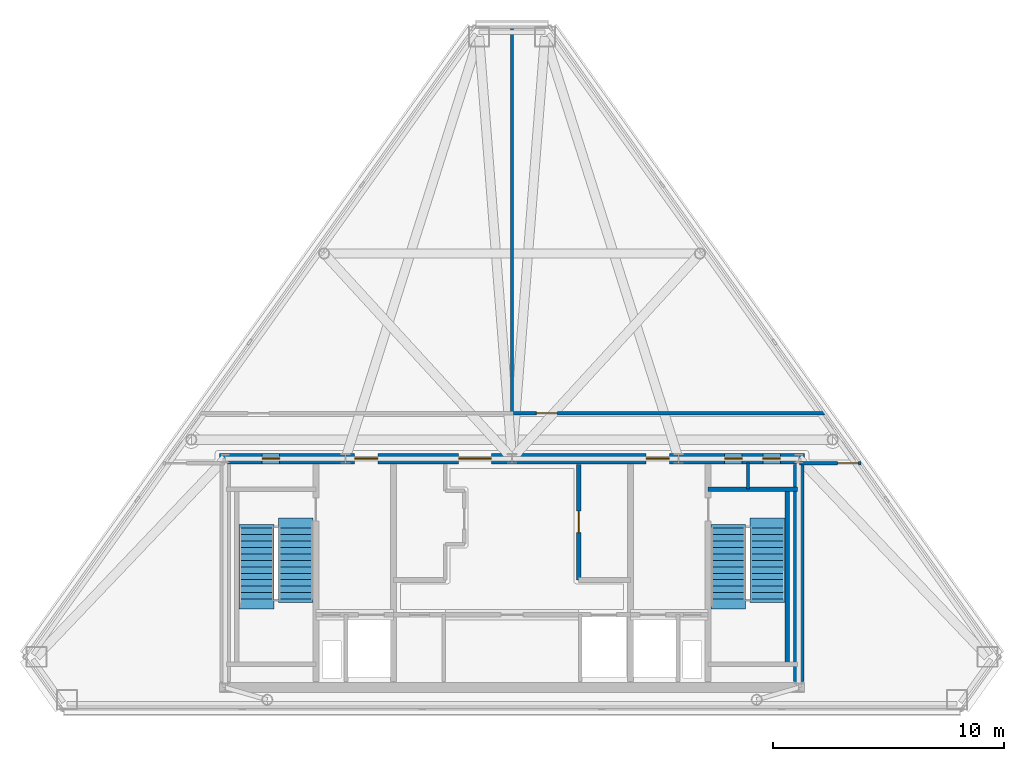
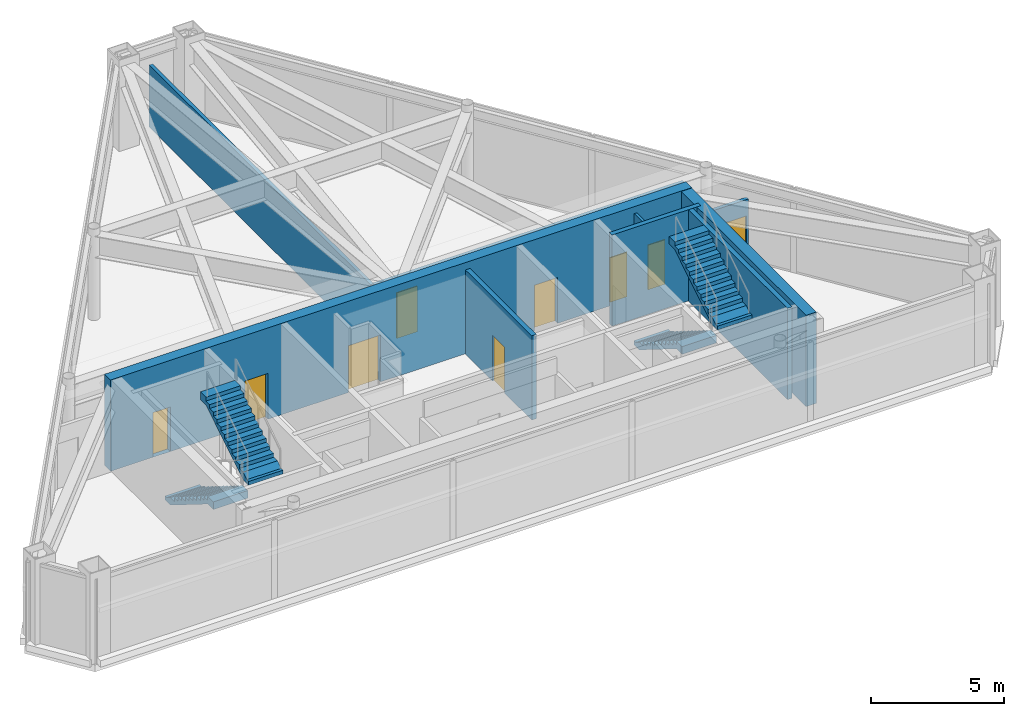
# One storey, part 4 of 5: 9 doors, 9 walls, 4 stair flights, 9 openings, 2 elements without a shape of their own.
"""IFC4 building model written with IfcOpenShell, lengths in metres."""

from ifc_helpers import new_model, si_unit, direction, frame, frame_2d, origin, place, context, subcontext, project, spatial, polyline, rectangle, outline, extrude, material, layer, layer_set, type_object, element, fill, aggregate, save


model = new_model("IFC4")

# Units and contexts
model_context = context("Model", 3, precision=1e-05, world=origin(), true_north=direction((0.0, 1.0)))
body_context = subcontext(model_context, "Body", "Model", "MODEL_VIEW")
ifc_project = project(units=[si_unit("LENGTHUNIT", "METRE"), si_unit("AREAUNIT", "SQUARE_METRE"), si_unit("VOLUMEUNIT", "CUBIC_METRE"), si_unit("PLANEANGLEUNIT", "RADIAN"), si_unit("MASSUNIT", "GRAM", prefix="KILO")], contexts=[model_context])

# Site, building, storey
site_placement = place(None, origin())
site = spatial("IfcSite", under=ifc_project, at=site_placement, CompositionType="ELEMENT")
building_placement = place(site_placement, origin())
building = spatial("IfcBuilding", under=site, at=building_placement, Name="Talgorran Terracotta Tower", CompositionType="ELEMENT")
storey_placement = place(building_placement, frame((0.0, 0.0, 301.800048828125)))
storey = spatial("IfcBuildingStorey", under=building, at=storey_placement, Name="L79", CompositionType="ELEMENT", Elevation=301.800048828125)

# Walls
ifc_material_1 = material(Name="Concrete C50/60", Category="concrete")
ifc_layer_1 = layer(ifc_material_1, 0.199951171875, Name="WT_CORE_200")
ifc_layer_set_1 = layer_set([ifc_layer_1], Name="Concrete C50/60")
wall_type_1 = type_object("IfcWallType", Name="WT_CORE_200", PredefinedType="SOLIDWALL", material=ifc_layer_set_1)
wall_1_placement = place(storey_placement, frame((8.47998046875, -5.52001953125, 0.0), z_axis=(0.0, 0.0, 1.0), x_axis=(1.0, 0.0, 0.0)))
element("IfcWall", 1, at=wall_1_placement, inside=storey, type_object=wall_type_1, Name="WL-L79-CW-ST2-N", PredefinedType="SOLIDWALL", context=body_context, shape_type="SweptSolid", body=[
    extrude(rectangle(XDim=3.8701171875, YDim=0.199951171875, at=frame_2d((1.93505859375, 0.0))), origin(), (0.0, 0.0, 1.0), 4.199951171875),
])
wall_2_placement = place(storey_placement, frame((11.89990234375, -13.10009765625, 0.0), z_axis=(0.0, 0.0, 1.0), x_axis=(0.0, 1.0, 0.0)))
element("IfcWall", 2, at=wall_2_placement, inside=storey, type_object=wall_type_1, Name="WL-L79-CW-ST2-E", PredefinedType="SOLIDWALL", context=body_context, shape_type="SweptSolid", body=[
    extrude(rectangle(XDim=7.580078125, YDim=0.199951171875, at=frame_2d((3.7900390625, 0.0))), origin(), (0.0, 0.0, 1.0), 4.199951171875),
])

# Wall, opening, door
wall_3_placement = place(storey_placement, frame((2.8798828125, -9.449951171875, 0.0), z_axis=(0.0, 0.0, 1.0), x_axis=(0.0, 1.0, 0.0)))
wall_3 = element("IfcWall", 3, at=wall_3_placement, inside=storey, type_object=wall_type_1, Name="WL-L79-CW-V-E3", PredefinedType="SOLIDWALL", context=body_context, shape_type="SweptSolid", body=[
    extrude(rectangle(XDim=5.0, YDim=0.199951171875, at=frame_2d((2.5, 0.0))), origin(), (0.0, 0.0, 1.0), 3.8798828125),
])
opening_1_placement = place(wall_3_placement, frame((2.050048828125, 0.0, 0.0)))
opening_1 = element("IfcOpeningElement", 4, at=opening_1_placement, cuts=wall_3, Name="Opening DR-FRPLM-A", PredefinedType="OPENING", context=body_context, shape_type="SweptSolid", body=[
    extrude(rectangle(XDim=0.925921875, YDim=2.10409765625, at=frame_2d((0.4599609375, 1.052001953125))), frame((0.0, 0.10986328125, 0.0), z_axis=(0.0, -1.0, 0.0), x_axis=(1.0, 0.0, 0.0)), (0.0, 0.0, 1.0), 0.219970703125),
])
ifc_material_2 = material(Name="Solid-Core Painted Timber", Category="wood")
door_type_1 = type_object("IfcDoorType", Name="DT_INT_920", OperationType="NOTDEFINED", PredefinedType="DOOR", material=ifc_material_2)
door_1_placement = place(opening_1_placement, origin())
door_1 = element("IfcDoor", 5, at=door_1_placement, inside=storey, type_object=door_type_1, Name="DR-FRPLM-A", OperationType="SINGLE_SWING_RIGHT", OverallHeight=2.10009765625, OverallWidth=0.919921875, PredefinedType="DOOR", context=body_context, shape_type="SweptSolid", body=[
    extrude(rectangle(XDim=0.919921875, YDim=2.10009765625, at=frame_2d((0.4599609375, 1.050048828125))), frame((0.0, 0.02490234375, 0.0), z_axis=(0.0, -1.0, 0.0), x_axis=(1.0, 0.0, 0.0)), (0.0, 0.0, 1.0), 0.050048828125),
])
fill(opening_1, door_1)

# Wall, openings, doors
ifc_material_3 = material(Name="Concrete C65/80", Category="concrete")
ifc_layer_2 = layer(ifc_material_3, 0.449951171875, Name="WT_CORE_EXT")
ifc_layer_set_2 = layer_set([ifc_layer_2], Name="Concrete C65/80")
wall_type_2 = type_object("IfcWallType", Name="WT_CORE_EXT", PredefinedType="SHEAR", material=ifc_layer_set_2)
wall_4_placement = place(storey_placement, frame((-12.64990234375, -4.199951171875, 0.0), z_axis=(0.0, 0.0, 1.0), x_axis=(1.0, 0.0, 0.0)))
wall_4 = element("IfcWall", 6, at=wall_4_placement, inside=storey, type_object=wall_type_2, Name="WL-L79-CW-OUT-N", PredefinedType="SHEAR", context=body_context, shape_type="SweptSolid", body=[
    extrude(rectangle(XDim=25.2998046875, YDim=0.449951171875, at=frame_2d((12.64990234375, 0.0))), origin(), (0.0, 0.0, 1.0), 4.199951171875),
])
opening_2_placement = place(wall_4_placement, frame((1.85009765625, 0.0, 0.0)))
opening_2 = element("IfcOpeningElement", 7, at=opening_2_placement, cuts=wall_4, Name="Opening DR-CSN1", PredefinedType="OPENING", context=body_context, shape_type="SweptSolid", body=[
    extrude(rectangle(XDim=0.756, YDim=2.054048828125, at=frame_2d((0.375, 1.027099609375))), frame((0.0, 0.23486328125, 0.0), z_axis=(0.0, -1.0, 0.0), x_axis=(1.0, 0.0, 0.0)), (0.0, 0.0, 1.0), 0.469970703125),
])
opening_3_placement = place(wall_4_placement, frame((21.85009765625, 0.0, 0.0)))
opening_3 = element("IfcOpeningElement", 8, at=opening_3_placement, cuts=wall_4, Name="Opening DR-CSN2", PredefinedType="OPENING", context=body_context, shape_type="SweptSolid", body=[
    extrude(rectangle(XDim=0.756, YDim=2.054048828125, at=frame_2d((0.375, 1.027099609375))), frame((0.0, 0.23486328125, 0.0), z_axis=(0.0, -1.0, 0.0), x_axis=(1.0, 0.0, 0.0)), (0.0, 0.0, 1.0), 0.469970703125),
])
opening_4_placement = place(wall_4_placement, frame((23.5, 0.0, 0.0)))
opening_4 = element("IfcOpeningElement", 9, at=opening_4_placement, cuts=wall_4, Name="Opening DR-CSN3", PredefinedType="OPENING", context=body_context, shape_type="SweptSolid", body=[
    extrude(rectangle(XDim=0.756, YDim=2.054048828125, at=frame_2d((0.375, 1.027099609375))), frame((0.0, 0.23486328125, 0.0), z_axis=(0.0, -1.0, 0.0), x_axis=(1.0, 0.0, 0.0)), (0.0, 0.0, 1.0), 0.469970703125),
])
opening_5_placement = place(wall_4_placement, frame((5.85009765625, 0.0, 0.0)))
opening_5 = element("IfcOpeningElement", 10, at=opening_5_placement, cuts=wall_4, Name="Opening DR-FFLW-N", PredefinedType="OPENING", context=body_context, shape_type="SweptSolid", body=[
    extrude(rectangle(XDim=1.006, YDim=2.10409765625, at=frame_2d((0.5, 1.052001953125))), frame((0.0, 0.23486328125, 0.0), z_axis=(0.0, -1.0, 0.0), x_axis=(1.0, 0.0, 0.0)), (0.0, 0.0, 1.0), 0.469970703125),
])
opening_6_placement = place(wall_4_placement, frame((10.35009765625, 0.0, 0.0)))
opening_6 = element("IfcOpeningElement", 11, at=opening_6_placement, cuts=wall_4, Name="Opening DR-PLL-N", PredefinedType="OPENING", context=body_context, shape_type="SweptSolid", body=[
    extrude(rectangle(XDim=1.40590234375, YDim=2.15390234375, at=frame_2d((0.699951171875, 1.076904296875))), frame((0.0, 0.23486328125, 0.0), z_axis=(0.0, -1.0, 0.0), x_axis=(1.0, 0.0, 0.0)), (0.0, 0.0, 1.0), 0.469970703125),
])
opening_7_placement = place(wall_4_placement, frame((18.449951171875, 0.0, 0.0)))
opening_7 = element("IfcOpeningElement", 12, at=opening_7_placement, cuts=wall_4, Name="Opening DR-FFLE-N", PredefinedType="OPENING", context=body_context, shape_type="SweptSolid", body=[
    extrude(rectangle(XDim=1.006, YDim=2.10409765625, at=frame_2d((0.5, 1.052001953125))), frame((0.0, 0.23486328125, 0.0), z_axis=(0.0, -1.0, 0.0), x_axis=(1.0, 0.0, 0.0)), (0.0, 0.0, 1.0), 0.469970703125),
])
ifc_material_4 = material(Name="Acoustic Glazed Timber", Category="wood")
door_type_2 = type_object("IfcDoorType", Name="DT_DOUBLE_1400", OperationType="DOUBLE_DOOR_SINGLE_SWING", PredefinedType="DOOR", material=ifc_material_4)
door_2_placement = place(opening_6_placement, origin())
door_2 = element("IfcDoor", 13, at=door_2_placement, inside=storey, type_object=door_type_2, Name="DR-PLL-N", OperationType="DOUBLE_DOOR_SINGLE_SWING", OverallHeight=2.14990234375, OverallWidth=1.39990234375, PredefinedType="DOOR", context=body_context, shape_type="SweptSolid", body=[
    extrude(rectangle(XDim=1.39990234375, YDim=2.14990234375, at=frame_2d((0.699951171875, 1.074951171875))), frame((0.0, 0.02490234375, 0.0), z_axis=(0.0, -1.0, 0.0), x_axis=(1.0, 0.0, 0.0)), (0.0, 0.0, 1.0), 0.050048828125),
])
fill(opening_6, door_2)
ifc_material_5 = material(Name="Fire-Rated Pressed Steel", Category="steel")
door_type_3 = type_object("IfcDoorType", Name="DT_FIRE_1000", OperationType="NOTDEFINED", PredefinedType="DOOR", material=ifc_material_5)
door_3_placement = place(opening_5_placement, origin())
door_3 = element("IfcDoor", 14, at=door_3_placement, inside=storey, type_object=door_type_3, Name="DR-FFLW-N", OperationType="SINGLE_SWING_LEFT", OverallHeight=2.10009765625, OverallWidth=1.0, PredefinedType="DOOR", context=body_context, shape_type="SweptSolid", body=[
    extrude(rectangle(XDim=1.0, YDim=2.10009765625, at=frame_2d((0.5, 1.050048828125))), frame((0.0, 0.02490234375, 0.0), z_axis=(0.0, -1.0, 0.0), x_axis=(1.0, 0.0, 0.0)), (0.0, 0.0, 1.0), 0.050048828125),
])
fill(opening_5, door_3)
door_4_placement = place(opening_7_placement, origin())
door_4 = element("IfcDoor", 15, at=door_4_placement, inside=storey, type_object=door_type_3, Name="DR-FFLE-N", OperationType="SINGLE_SWING_RIGHT", OverallHeight=2.10009765625, OverallWidth=1.0, PredefinedType="DOOR", context=body_context, shape_type="SweptSolid", body=[
    extrude(rectangle(XDim=1.0, YDim=2.10009765625, at=frame_2d((0.5, 1.050048828125))), frame((0.0, 0.02490234375, 0.0), z_axis=(0.0, -1.0, 0.0), x_axis=(1.0, 0.0, 0.0)), (0.0, 0.0, 1.0), 0.050048828125),
])
fill(opening_7, door_4)
door_type_4 = type_object("IfcDoorType", Name="DT_RISER_750", OperationType="NOTDEFINED", PredefinedType="DOOR", material=ifc_material_5)
door_5_placement = place(opening_2_placement, origin())
door_5 = element("IfcDoor", 16, at=door_5_placement, inside=storey, type_object=door_type_4, Name="DR-CSN1", OperationType="SINGLE_SWING_LEFT", OverallHeight=2.050048828125, OverallWidth=0.75, PredefinedType="DOOR", context=body_context, shape_type="SweptSolid", body=[
    extrude(rectangle(XDim=0.75, YDim=2.050048828125, at=frame_2d((0.375, 1.02490234375))), frame((0.0, 0.02490234375, 0.0), z_axis=(0.0, -1.0, 0.0), x_axis=(1.0, 0.0, 0.0)), (0.0, 0.0, 1.0), 0.050048828125),
])
fill(opening_2, door_5)
door_6_placement = place(opening_3_placement, origin())
door_6 = element("IfcDoor", 17, at=door_6_placement, inside=storey, type_object=door_type_4, Name="DR-CSN2", OperationType="SINGLE_SWING_LEFT", OverallHeight=2.050048828125, OverallWidth=0.75, PredefinedType="DOOR", context=body_context, shape_type="SweptSolid", body=[
    extrude(rectangle(XDim=0.75, YDim=2.050048828125, at=frame_2d((0.375, 1.02490234375))), frame((0.0, 0.02490234375, 0.0), z_axis=(0.0, -1.0, 0.0), x_axis=(1.0, 0.0, 0.0)), (0.0, 0.0, 1.0), 0.050048828125),
])
fill(opening_3, door_6)
door_7_placement = place(opening_4_placement, origin())
door_7 = element("IfcDoor", 18, at=door_7_placement, inside=storey, type_object=door_type_4, Name="DR-CSN3", OperationType="SINGLE_SWING_RIGHT", OverallHeight=2.050048828125, OverallWidth=0.75, PredefinedType="DOOR", context=body_context, shape_type="SweptSolid", body=[
    extrude(rectangle(XDim=0.75, YDim=2.050048828125, at=frame_2d((0.375, 1.02490234375))), frame((0.0, 0.02490234375, 0.0), z_axis=(0.0, -1.0, 0.0), x_axis=(1.0, 0.0, 0.0)), (0.0, 0.0, 1.0), 0.050048828125),
])
fill(opening_4, door_7)

# Walls
wall_5_placement = place(storey_placement, frame((12.39990234375, -13.85009765625, 0.0), z_axis=(0.0, 0.0, 1.0), x_axis=(0.0, 1.0, 0.0)))
element("IfcWall", 19, at=wall_5_placement, inside=storey, type_object=wall_type_2, Name="WL-L79-CW-OUT-E", PredefinedType="SHEAR", context=body_context, shape_type="SweptSolid", body=[
    extrude(rectangle(XDim=9.400146484375, YDim=0.449951171875, at=frame_2d((4.7001953125, 0.0))), origin(), (0.0, 0.0, 1.0), 4.199951171875),
])
ifc_material_6 = material(Name="Fire-Rated Steel Stud Plasterboard", Category="steel")
ifc_layer_3 = layer(ifc_material_6, 0.14990234375, Name="WT_FIRE_150")
ifc_layer_set_3 = layer_set([ifc_layer_3], Name="Fire-Rated Steel Stud Plasterboard")
wall_type_3 = type_object("IfcWallType", Name="WT_FIRE_150", PredefinedType="PARTITIONING", material=ifc_layer_set_3)
wall_6_placement = place(storey_placement, frame((0.0, -2.239990234375, 0.0), z_axis=(0.0, 0.0, 1.0), x_axis=(0.0, 1.0, 0.0)))
element("IfcWall", 20, at=wall_6_placement, inside=storey, type_object=wall_type_3, Name="WL-L79-W-L79-R05", PredefinedType="PARTITIONING", context=body_context, shape_type="SweptSolid", body=[
    extrude(rectangle(XDim=16.694580078125, YDim=0.14990234375, at=frame_2d((8.34716796875, 0.0))), origin(), (0.0, 0.0, 1.0), 2.85498046875),
])

# Wall, opening, door
wall_7_placement = place(storey_placement, frame((0.06201171875, -2.239990234375, 0.0), z_axis=(0.0, 0.0, 1.0), x_axis=(1.0, 0.0, 0.0)))
wall_7 = element("IfcWall", 21, at=wall_7_placement, inside=storey, type_object=wall_type_3, Name="WL-L79-W-L79-R04", PredefinedType="PARTITIONING", context=body_context, shape_type="SweptSolid", body=[
    extrude(rectangle(XDim=13.480712890625, YDim=0.14990234375, at=frame_2d((6.740234375, 0.0))), origin(), (0.0, 0.0, 1.0), 2.85498046875),
])
opening_8_placement = place(wall_7_placement, frame((0.9951171875, 0.0, 0.0)))
opening_8 = element("IfcOpeningElement", 22, at=opening_8_placement, cuts=wall_7, Name="Opening DR-L79-R04", PredefinedType="OPENING", context=body_context, shape_type="SweptSolid", body=[
    extrude(rectangle(XDim=0.90590234375, YDim=2.10409765625, at=frame_2d((0.449951171875, 1.052001953125))), frame((0.0, 0.0849609375, 0.0), z_axis=(0.0, -1.0, 0.0), x_axis=(1.0, 0.0, 0.0)), (0.0, 0.0, 1.0), 0.169921875),
])
ifc_material_7 = material(Name="Fire-Rated Timber Core", Category="wood")
door_type_5 = type_object("IfcDoorType", Name="DT_FIRE_900", OperationType="NOTDEFINED", PredefinedType="DOOR", material=ifc_material_7)
door_8_placement = place(opening_8_placement, origin())
door_8 = element("IfcDoor", 23, at=door_8_placement, inside=storey, type_object=door_type_5, Name="DR-L79-R04", OperationType="SINGLE_SWING_RIGHT", OverallHeight=2.10009765625, OverallWidth=0.89990234375, PredefinedType="DOOR", context=body_context, shape_type="SweptSolid", body=[
    extrude(rectangle(XDim=0.89990234375, YDim=2.10009765625, at=frame_2d((0.449951171875, 1.050048828125))), frame((0.0, 0.02490234375, 0.0), z_axis=(0.0, -1.0, 0.0), x_axis=(1.0, 0.0, 0.0)), (0.0, 0.0, 1.0), 0.050048828125),
])
fill(opening_8, door_8)

wall_8_placement = place(storey_placement, frame((12.43994140625, -4.39990234375, 0.0), z_axis=(0.0, 0.0, 1.0), x_axis=(1.0, 0.0, 0.0)))
wall_8 = element("IfcWall", 24, at=wall_8_placement, inside=storey, type_object=wall_type_3, Name="WL-L79-W-L79-R02", PredefinedType="PARTITIONING", context=body_context, shape_type="SweptSolid", body=[
    extrude(rectangle(XDim=2.6435546875, YDim=0.14990234375, at=frame_2d((1.32177734375, 0.0))), origin(), (0.0, 0.0, 1.0), 2.85498046875),
])
opening_9_placement = place(wall_8_placement, frame((1.6435546875, 0.0, 0.0)))
opening_9 = element("IfcOpeningElement", 25, at=opening_9_placement, cuts=wall_8, Name="Opening DR-L79-R02", PredefinedType="OPENING", context=body_context, shape_type="SweptSolid", body=[
    extrude(rectangle(XDim=0.90590234375, YDim=2.10409765625, at=frame_2d((0.449951171875, 1.052001953125))), frame((0.0, 0.0849609375, 0.0), z_axis=(0.0, -1.0, 0.0), x_axis=(1.0, 0.0, 0.0)), (0.0, 0.0, 1.0), 0.169921875),
])
door_9_placement = place(opening_9_placement, origin())
door_9 = element("IfcDoor", 26, at=door_9_placement, inside=storey, type_object=door_type_5, Name="DR-L79-R02", OperationType="SINGLE_SWING_RIGHT", OverallHeight=2.10009765625, OverallWidth=0.89990234375, PredefinedType="DOOR", context=body_context, shape_type="SweptSolid", body=[
    extrude(rectangle(XDim=0.89990234375, YDim=2.10009765625, at=frame_2d((0.449951171875, 1.050048828125))), frame((0.0, 0.02490234375, 0.0), z_axis=(0.0, -1.0, 0.0), x_axis=(1.0, 0.0, 0.0)), (0.0, 0.0, 1.0), 0.050048828125),
])
fill(opening_9, door_9)

# Wall
ifc_material_8 = material(Name="Insulated Steel Stud Plasterboard", Category="steel")
ifc_layer_4 = layer(ifc_material_8, 0.1201171875, Name="WT_PART_120")
ifc_layer_set_4 = layer_set([ifc_layer_4], Name="Insulated Steel Stud Plasterboard")
wall_type_4 = type_object("IfcWallType", Name="WT_PART_120", PredefinedType="PARTITIONING", material=ifc_layer_set_4)
wall_9_placement = place(storey_placement, frame((10.199951171875, -5.52001953125, 0.0), z_axis=(0.0, 0.0, 1.0), x_axis=(0.0, 1.0, 0.0)))
element("IfcWall", 27, at=wall_9_placement, inside=storey, type_object=wall_type_4, Name="WL-L79-CW-CSE-DIV", PredefinedType="PARTITIONING", context=body_context, shape_type="SweptSolid", body=[
    extrude(rectangle(XDim=1.1201171875, YDim=0.1201171875, at=frame_2d((0.56005859375, 0.0))), origin(), (0.0, 0.0, 1.0), 3.8798828125),
])

# Stair, stair flights
ifc_material_9 = material(Name="Concrete C40/50", Category="concrete")
stair_type = type_object("IfcStairType", Name="ST_FIRE_SCISSOR", PredefinedType="HALF_TURN_STAIR", material=ifc_material_9)
stair_1_placement = place(storey_placement, origin())
stair_1 = element("IfcStair", 28, at=stair_1_placement, inside=storey, type_object=stair_type, Name="L79 West Protected Fire Stair ST-01", PredefinedType="HALF_TURN_STAIR")
ifc_layer_5 = layer(ifc_material_9, 0.179931640625, Name="STF_RC_1500")
ifc_layer_set_5 = layer_set([ifc_layer_5], Name="Concrete C40/50")
stair_flight_type = type_object("IfcStairFlightType", Name="STF_RC_1500", PredefinedType="STRAIGHT", material=ifc_layer_set_5)
stair_flight_1_placement = place(storey_placement, frame((-11.050048828125, -7.199951171875, 0.0), z_axis=(0.0, 0.0, 1.0), x_axis=(0.0, -1.0, 0.0)))
stair_flight_1 = element("IfcStairFlight", 29, at=stair_flight_1_placement, type_object=stair_flight_type, Name="ST-01 flight 1", NumberOfRisers=12, NumberOfTreads=11, PredefinedType="STRAIGHT", RiserHeight=0.175, TreadLength=0.28, context=body_context, shape_type="SweptSolid", body=[
    extrude(outline(polyline([(-0.139892578125, 0.0), (-0.139892578125, 0.175048828125), (0.0, 0.175048828125), (0.280029296875, 0.35009765625), (0.56005859375, 0.35009765625), (0.56005859375, 0.52490234375), (0.840087890625, 0.52490234375), (0.840087890625, 0.699951171875), (1.1201171875, 0.699951171875), (1.1201171875, 0.875), (1.39990234375, 0.875), (1.39990234375, 1.050048828125), (1.679931640625, 1.050048828125), (1.679931640625, 1.22509765625), (1.9599609375, 1.22509765625), (1.9599609375, 1.39990234375), (2.239990234375, 1.39990234375), (2.239990234375, 1.574951171875), (2.52001953125, 1.574951171875), (2.52001953125, 1.75), (2.800048828125, 1.75), (2.800048828125, 1.925048828125), (3.080078125, 1.925048828125), (3.080078125, 2.10009765625), (3.5, 2.10009765625), (3.5, 1.748291015625), (3.080078125, 1.748291015625), (0.28271484375, 0.0), (-0.139892578125, 0.0)])), frame((0.0, 0.75, 0.0), z_axis=(0.0, -1.0, 0.0), x_axis=(1.0, 0.0, 0.0)), (0.0, 0.0, 1.0), 1.5),
])
stair_flight_2_placement = place(storey_placement, frame((-9.35009765625, -10.280029296875, 2.099853515625), z_axis=(0.0, 0.0, 1.0), x_axis=(0.0, 1.0, 0.0)))
stair_flight_2 = element("IfcStairFlight", 30, at=stair_flight_2_placement, type_object=stair_flight_type, Name="ST-01 flight 2", NumberOfRisers=12, NumberOfTreads=11, PredefinedType="STRAIGHT", RiserHeight=0.175, TreadLength=0.28, context=body_context, shape_type="SweptSolid", body=[
    extrude(outline(polyline([(-0.139892578125, 0.0), (-0.139892578125, 0.175048828125), (0.0, 0.175048828125), (0.280029296875, 0.35009765625), (0.56005859375, 0.35009765625), (0.56005859375, 0.52490234375), (0.840087890625, 0.52490234375), (0.840087890625, 0.699951171875), (1.1201171875, 0.699951171875), (1.1201171875, 0.875), (1.39990234375, 0.875), (1.39990234375, 1.050048828125), (1.679931640625, 1.050048828125), (1.679931640625, 1.22509765625), (1.9599609375, 1.22509765625), (1.9599609375, 1.39990234375), (2.239990234375, 1.39990234375), (2.239990234375, 1.574951171875), (2.52001953125, 1.574951171875), (2.52001953125, 1.75), (2.800048828125, 1.75), (2.800048828125, 1.925048828125), (3.080078125, 1.925048828125), (3.080078125, 2.10009765625), (3.5, 2.10009765625), (3.5, 1.748291015625), (3.080078125, 1.748291015625), (0.28271484375, 0.0), (-0.139892578125, 0.0)])), frame((0.0, 0.75, 0.0), z_axis=(0.0, -1.0, 0.0), x_axis=(1.0, 0.0, 0.0)), (0.0, 0.0, 1.0), 1.5),
])
aggregate(stair_1, [stair_flight_1, stair_flight_2])

stair_2_placement = place(storey_placement, origin())
stair_2 = element("IfcStair", 31, at=stair_2_placement, inside=storey, type_object=stair_type, Name="L79 East Protected Fire Stair ST-02", PredefinedType="HALF_TURN_STAIR")
stair_flight_3_placement = place(storey_placement, frame((9.35009765625, -7.199951171875, 0.0), z_axis=(0.0, 0.0, 1.0), x_axis=(0.0, -1.0, 0.0)))
stair_flight_3 = element("IfcStairFlight", 32, at=stair_flight_3_placement, type_object=stair_flight_type, Name="ST-02 flight 1", NumberOfRisers=12, NumberOfTreads=11, PredefinedType="STRAIGHT", RiserHeight=0.175, TreadLength=0.28, context=body_context, shape_type="SweptSolid", body=[
    extrude(outline(polyline([(-0.139892578125, 0.0), (-0.139892578125, 0.175048828125), (0.0, 0.175048828125), (0.280029296875, 0.35009765625), (0.56005859375, 0.35009765625), (0.56005859375, 0.52490234375), (0.840087890625, 0.52490234375), (0.840087890625, 0.699951171875), (1.1201171875, 0.699951171875), (1.1201171875, 0.875), (1.39990234375, 0.875), (1.39990234375, 1.050048828125), (1.679931640625, 1.050048828125), (1.679931640625, 1.22509765625), (1.9599609375, 1.22509765625), (1.9599609375, 1.39990234375), (2.239990234375, 1.39990234375), (2.239990234375, 1.574951171875), (2.52001953125, 1.574951171875), (2.52001953125, 1.75), (2.800048828125, 1.75), (2.800048828125, 1.925048828125), (3.080078125, 1.925048828125), (3.080078125, 2.10009765625), (3.5, 2.10009765625), (3.5, 1.748291015625), (3.080078125, 1.748291015625), (0.28271484375, 0.0), (-0.139892578125, 0.0)])), frame((0.0, 0.75, 0.0), z_axis=(0.0, -1.0, 0.0), x_axis=(1.0, 0.0, 0.0)), (0.0, 0.0, 1.0), 1.5),
])
stair_flight_4_placement = place(storey_placement, frame((11.050048828125, -10.280029296875, 2.099853515625), z_axis=(0.0, 0.0, 1.0), x_axis=(0.0, 1.0, 0.0)))
stair_flight_4 = element("IfcStairFlight", 33, at=stair_flight_4_placement, type_object=stair_flight_type, Name="ST-02 flight 2", NumberOfRisers=12, NumberOfTreads=11, PredefinedType="STRAIGHT", RiserHeight=0.175, TreadLength=0.28, context=body_context, shape_type="SweptSolid", body=[
    extrude(outline(polyline([(-0.139892578125, 0.0), (-0.139892578125, 0.175048828125), (0.0, 0.175048828125), (0.280029296875, 0.35009765625), (0.56005859375, 0.35009765625), (0.56005859375, 0.52490234375), (0.840087890625, 0.52490234375), (0.840087890625, 0.699951171875), (1.1201171875, 0.699951171875), (1.1201171875, 0.875), (1.39990234375, 0.875), (1.39990234375, 1.050048828125), (1.679931640625, 1.050048828125), (1.679931640625, 1.22509765625), (1.9599609375, 1.22509765625), (1.9599609375, 1.39990234375), (2.239990234375, 1.39990234375), (2.239990234375, 1.574951171875), (2.52001953125, 1.574951171875), (2.52001953125, 1.75), (2.800048828125, 1.75), (2.800048828125, 1.925048828125), (3.080078125, 1.925048828125), (3.080078125, 2.10009765625), (3.5, 2.10009765625), (3.5, 1.748291015625), (3.080078125, 1.748291015625), (0.28271484375, 0.0), (-0.139892578125, 0.0)])), frame((0.0, 0.75, 0.0), z_axis=(0.0, -1.0, 0.0), x_axis=(1.0, 0.0, 0.0)), (0.0, 0.0, 1.0), 1.5),
])
aggregate(stair_2, [stair_flight_3, stair_flight_4])

save(model, "model.ifc")
